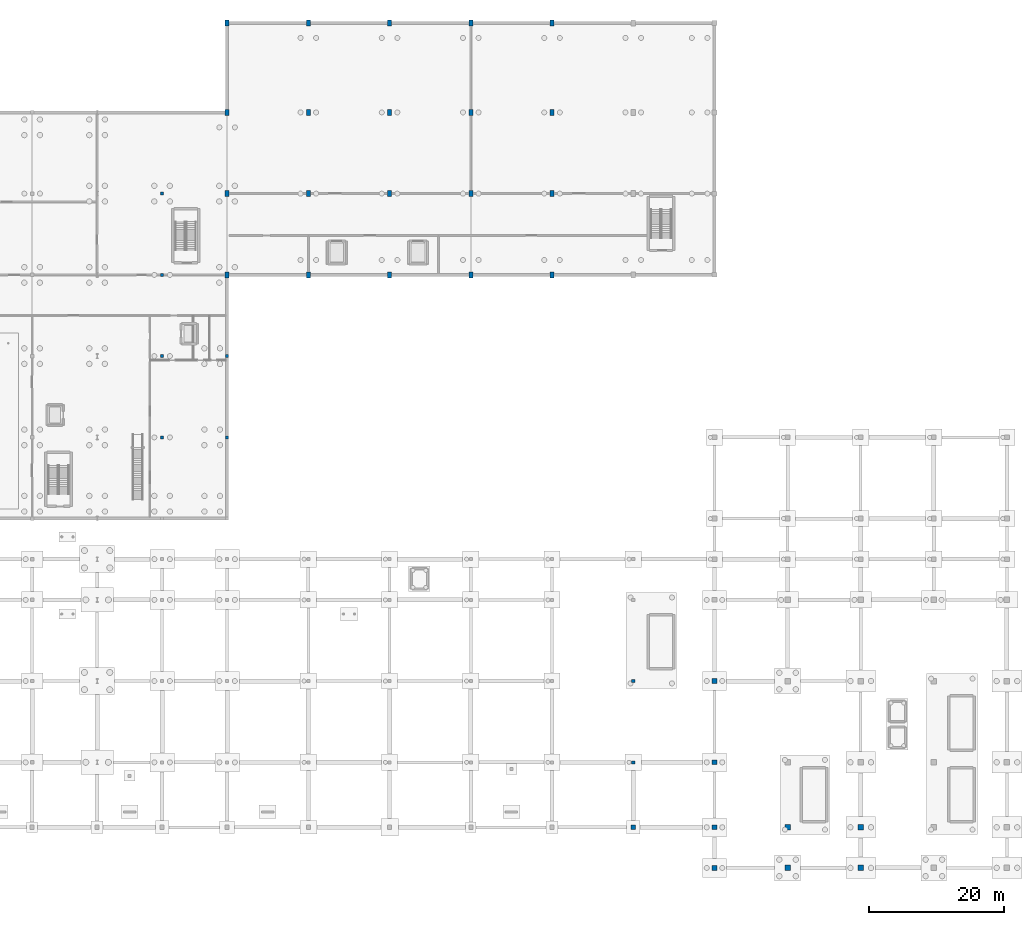
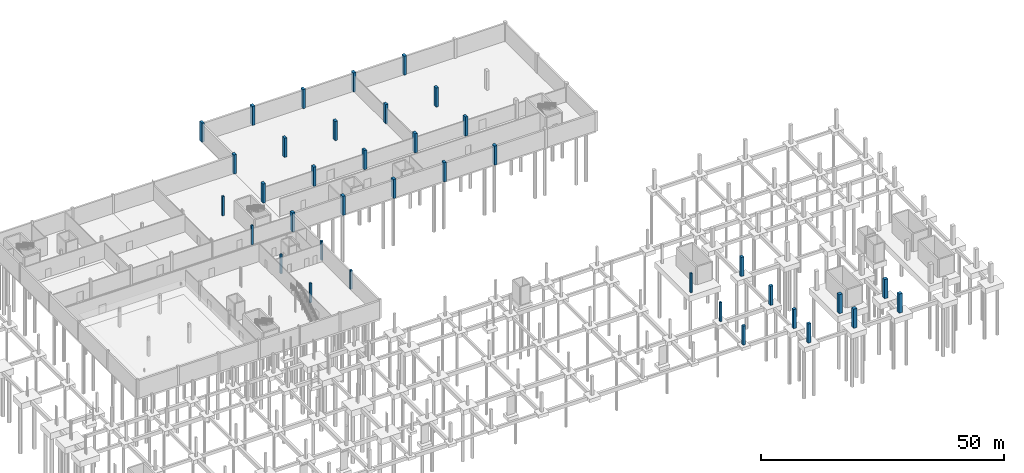
# One storey, part 18 of 31: 37 columns.
"""IFC4 building model written with IfcOpenShell, lengths in metres."""

from ifc_helpers import new_model, si_unit, direction, frame, origin, origin_2d, place, context, subcontext, project, spatial, rectangle, extrude, material, material_profile, profile_set, type_object, element, save


model = new_model("IFC4")

# Units and contexts
model_context = context("Model", 3, precision=1e-05, world=origin(), true_north=direction((0.0, 1.0)))
body_context = subcontext(model_context, "Body", "Model", "MODEL_VIEW")
ifc_project = project(units=[si_unit("LENGTHUNIT", "METRE"), si_unit("AREAUNIT", "SQUARE_METRE"), si_unit("VOLUMEUNIT", "CUBIC_METRE"), si_unit("PLANEANGLEUNIT", "RADIAN"), si_unit("MASSUNIT", "GRAM", prefix="KILO")], contexts=[model_context])

# Site, building, storey
site_placement = place(None, origin())
site = spatial("IfcSite", under=ifc_project, at=site_placement, CompositionType="ELEMENT")
building_placement = place(site_placement, origin())
building = spatial("IfcBuilding", under=site, at=building_placement, Name="Merenkruunu Market Hall", CompositionType="ELEMENT")
storey_placement = place(building_placement, frame((0.0, 0.0, -4.800048828125)))
storey = spatial("IfcBuildingStorey", under=building, at=storey_placement, Name="B1", CompositionType="ELEMENT", Elevation=-4.800048828125)

# Columns
ifc_material = material(Name="Concrete C35/45", Category="concrete")
ifc_material_profile_1 = material_profile(ifc_material, rectangle(XDim=0.800048828125, YDim=0.800048828125, at=origin_2d()), Name="RC 800x800")
ifc_profile_set_1 = profile_set([ifc_material_profile_1], Name="Concrete C35/45")
column_type_1 = type_object("IfcColumnType", Name="Structural Column C15", PredefinedType="COLUMN", material=ifc_profile_set_1)
for number, where, z_axis, x_axis, name in (
    (1, (159.60009765625, 0.0, 0.0), (0.0, 0.0, 1.0), (1.0, 0.0, 0.0), "COL-B1-R-01"),
    (2, (159.60009765625, 6.0, 0.0), (0.0, 0.0, 1.0), (1.0, 0.0, 0.0), "COL-B1-R-02"),
    (3, (170.39990234375, 0.0, 0.0), (0.0, 0.0, 1.0), (1.0, 0.0, 0.0), "COL-B1-S-01"),
    (4, (170.39990234375, 6.0, 0.0), (0.0, 0.0, 1.0), (1.0, 0.0, 0.0), "COL-B1-S-02"),
):
    element("IfcColumn", number, at=place(storey_placement, frame(where, z_axis=z_axis, x_axis=x_axis)), inside=storey, type_object=column_type_1, Name=name, PredefinedType="COLUMN", context=body_context, shape_type="SweptSolid", body=[
        extrude(rectangle(XDim=0.800048828125, YDim=0.800048828125, at=origin_2d()), origin(), (0.0, 0.0, 1.0), 4.800048828125),
    ])
ifc_material_profile_2 = material_profile(ifc_material, rectangle(XDim=0.699951171875, YDim=0.699951171875, at=origin_2d()), Name="RC 700x700")
ifc_profile_set_2 = profile_set([ifc_material_profile_2], Name="Concrete C35/45")
column_type_2 = type_object("IfcColumnType", Name="Structural Column C16", PredefinedType="COLUMN", material=ifc_profile_set_2)
for number, where, z_axis, x_axis, name in (
    (5, (148.800048828125, 0.0, 0.0), (0.0, 0.0, 1.0), (1.0, 0.0, 0.0), "COL-B1-Q-01"),
    (6, (148.800048828125, 6.0, 0.0), (0.0, 0.0, 1.0), (1.0, 0.0, 0.0), "COL-B1-Q-02"),
    (7, (148.800048828125, 15.60009765625, 0.0), (0.0, 0.0, 1.0), (1.0, 0.0, 0.0), "COL-B1-Q-03"),
    (8, (148.800048828125, 27.60009765625, 0.0), (0.0, 0.0, 1.0), (1.0, 0.0, 0.0), "COL-B1-Q-04"),
):
    element("IfcColumn", number, at=place(storey_placement, frame(where, z_axis=z_axis, x_axis=x_axis)), inside=storey, type_object=column_type_2, Name=name, PredefinedType="COLUMN", context=body_context, shape_type="SweptSolid", body=[
        extrude(rectangle(XDim=0.699951171875, YDim=0.699951171875, at=origin_2d()), origin(), (0.0, 0.0, 1.0), 4.800048828125),
    ])
ifc_material_profile_3 = material_profile(ifc_material, rectangle(XDim=0.60009765625, YDim=0.60009765625, at=origin_2d()), Name="RC 600x600")
ifc_profile_set_3 = profile_set([ifc_material_profile_3], Name="Concrete C35/45")
column_type_3 = type_object("IfcColumnType", Name="Structural Column C17", PredefinedType="COLUMN", material=ifc_profile_set_3)
column_placement = place(storey_placement, frame((136.800048828125, 6.0, 0.0), z_axis=(0.0, 0.0, 1.0), x_axis=(1.0, 0.0, 0.0)))
element("IfcColumn", 9, at=column_placement, inside=storey, type_object=column_type_3, Name="COL-B1-P-02", PredefinedType="COLUMN", context=body_context, shape_type="SweptSolid", body=[
    extrude(rectangle(XDim=0.60009765625, YDim=0.60009765625, at=origin_2d()), origin(), (0.0, 0.0, 1.0), 4.800048828125),
])
ifc_material_profile_4 = material_profile(ifc_material, rectangle(XDim=0.449951171875, YDim=0.449951171875, at=origin_2d()), Name="RC 450x450")
ifc_profile_set_4 = profile_set([ifc_material_profile_4], Name="Concrete C35/45")
column_type_4 = type_object("IfcColumnType", Name="Structural Column C19", PredefinedType="COLUMN", material=ifc_profile_set_4)
for number, where, z_axis, x_axis, name in (
    (10, (67.199951171875, 63.60009765625, 0.0), (0.0, 0.0, 1.0), (1.0, 0.0, 0.0), "COL-B1-H-08"),
    (11, (67.199951171875, 75.60009765625, 0.0), (0.0, 0.0, 1.0), (1.0, 0.0, 0.0), "COL-B1-H-09"),
    (12, (67.199951171875, 87.60009765625, 0.0), (0.0, 0.0, 1.0), (1.0, 0.0, 0.0), "COL-B1-H-10"),
    (13, (67.199951171875, 99.60009765625, 0.0), (0.0, 0.0, 1.0), (1.0, 0.0, 0.0), "COL-B1-H-11"),
    (14, (76.800048828125, 63.60009765625, 0.0), (0.0, 0.0, 1.0), (1.0, 0.0, 0.0), "COL-B1-J-08"),
    (15, (76.800048828125, 75.60009765625, 0.0), (0.0, 0.0, 1.0), (1.0, 0.0, 0.0), "COL-B1-J-09"),
    (16, (136.800048828125, 15.60009765625, 0.0), (0.0, 0.0, 1.0), (1.0, 0.0, 0.0), "COL-B1-P-03"),
    (17, (136.800048828125, 27.60009765625, 0.0), (0.0, 0.0, 1.0), (1.0, 0.0, 0.0), "COL-B1-P-04"),
):
    element("IfcColumn", number, at=place(storey_placement, frame(where, z_axis=z_axis, x_axis=x_axis)), inside=storey, type_object=column_type_4, Name=name, PredefinedType="COLUMN", context=body_context, shape_type="SweptSolid", body=[
        extrude(rectangle(XDim=0.449951171875, YDim=0.449951171875, at=origin_2d()), origin(), (0.0, 0.0, 1.0), 4.800048828125),
    ])
ifc_material_profile_5 = material_profile(ifc_material, rectangle(XDim=0.60009765625, YDim=0.89990234375, at=origin_2d()), Name="RC 600x900")
ifc_profile_set_5 = profile_set([ifc_material_profile_5], Name="Concrete C35/45")
column_type_5 = type_object("IfcColumnType", Name="Structural Column C20", PredefinedType="COLUMN", material=ifc_profile_set_5)
for number, where, z_axis, x_axis, name in (
    (18, (76.800048828125, 87.60009765625, 0.0), (0.0, 0.0, 1.0), (1.0, 0.0, 0.0), "COL-B1-J-10"),
    (19, (76.800048828125, 99.60009765625, 0.0), (0.0, 0.0, 1.0), (1.0, 0.0, 0.0), "COL-B1-J-11"),
    (20, (76.800048828125, 111.60009765625, 0.0), (0.0, 0.0, 1.0), (1.0, 0.0, 0.0), "COL-B1-J-12"),
    (21, (76.800048828125, 124.800048828125, 0.0), (0.0, 0.0, 1.0), (1.0, 0.0, 0.0), "COL-B1-J-13"),
    (22, (88.800048828125, 87.60009765625, 0.0), (0.0, 0.0, 1.0), (1.0, 0.0, 0.0), "COL-B1-K-10"),
    (23, (88.800048828125, 99.60009765625, 0.0), (0.0, 0.0, 1.0), (1.0, 0.0, 0.0), "COL-B1-K-11"),
    (24, (88.800048828125, 111.60009765625, 0.0), (0.0, 0.0, 1.0), (1.0, 0.0, 0.0), "COL-B1-K-12"),
    (25, (88.800048828125, 124.800048828125, 0.0), (0.0, 0.0, 1.0), (1.0, 0.0, 0.0), "COL-B1-K-13"),
    (26, (100.800048828125, 87.60009765625, 0.0), (0.0, 0.0, 1.0), (1.0, 0.0, 0.0), "COL-B1-L-10"),
    (27, (100.800048828125, 99.60009765625, 0.0), (0.0, 0.0, 1.0), (1.0, 0.0, 0.0), "COL-B1-L-11"),
    (28, (100.800048828125, 111.60009765625, 0.0), (0.0, 0.0, 1.0), (1.0, 0.0, 0.0), "COL-B1-L-12"),
    (29, (100.800048828125, 124.800048828125, 0.0), (0.0, 0.0, 1.0), (1.0, 0.0, 0.0), "COL-B1-L-13"),
    (30, (112.800048828125, 87.60009765625, 0.0), (0.0, 0.0, 1.0), (1.0, 0.0, 0.0), "COL-B1-M-10"),
    (31, (112.800048828125, 99.60009765625, 0.0), (0.0, 0.0, 1.0), (1.0, 0.0, 0.0), "COL-B1-M-11"),
    (32, (112.800048828125, 111.60009765625, 0.0), (0.0, 0.0, 1.0), (1.0, 0.0, 0.0), "COL-B1-M-12"),
    (33, (112.800048828125, 124.800048828125, 0.0), (0.0, 0.0, 1.0), (1.0, 0.0, 0.0), "COL-B1-M-13"),
    (34, (124.800048828125, 87.60009765625, 0.0), (0.0, 0.0, 1.0), (1.0, 0.0, 0.0), "COL-B1-N-10"),
    (35, (124.800048828125, 99.60009765625, 0.0), (0.0, 0.0, 1.0), (1.0, 0.0, 0.0), "COL-B1-N-11"),
    (36, (124.800048828125, 111.60009765625, 0.0), (0.0, 0.0, 1.0), (1.0, 0.0, 0.0), "COL-B1-N-12"),
    (37, (124.800048828125, 124.800048828125, 0.0), (0.0, 0.0, 1.0), (1.0, 0.0, 0.0), "COL-B1-N-13"),
):
    element("IfcColumn", number, at=place(storey_placement, frame(where, z_axis=z_axis, x_axis=x_axis)), inside=storey, type_object=column_type_5, Name=name, PredefinedType="COLUMN", context=body_context, shape_type="SweptSolid", body=[
        extrude(rectangle(XDim=0.60009765625, YDim=0.89990234375, at=origin_2d()), origin(), (0.0, 0.0, 1.0), 4.800048828125),
    ])

save(model, "model.ifc")
